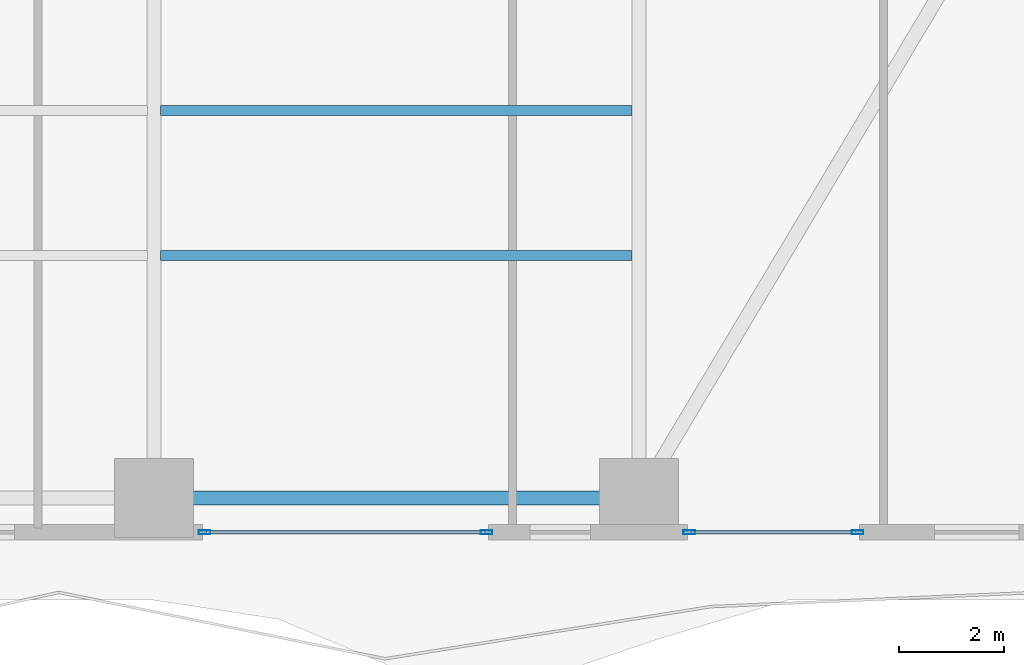
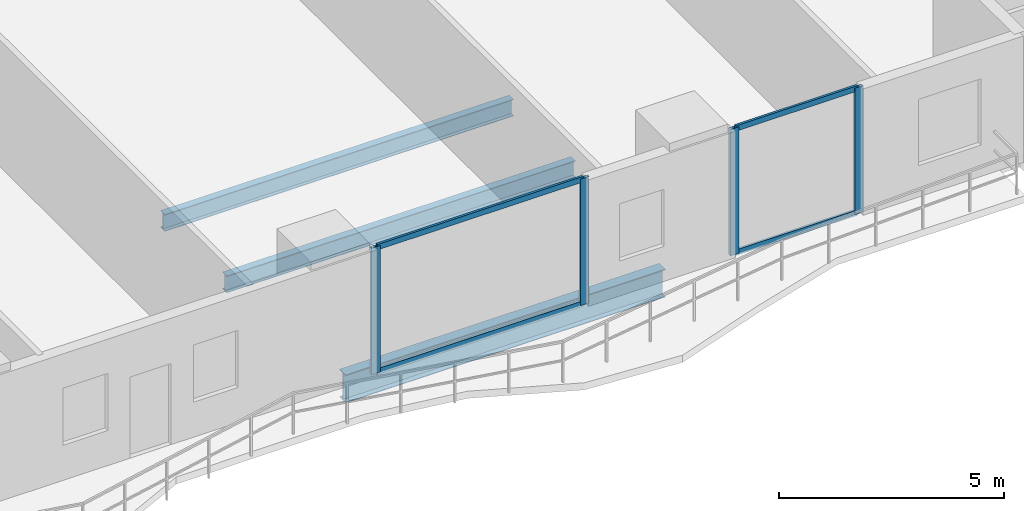
# One storey, part 8 of 29: 8 members, 3 beams, 2 elements without a shape of their own.
"""IFC4 building model written with IfcOpenShell, lengths in metres."""

from ifc_helpers import new_model, si_unit, direction, frame, origin, origin_2d, place, context, subcontext, project, spatial, hollow_rectangle, i_section, extrude, material, layer, layer_set, material_profile, profile_set, type_object, element, aggregate, save


model = new_model("IFC4")

# Units and contexts
model_context = context("Model", 3, precision=1e-05, world=origin(), true_north=direction((0.0, 1.0)))
body_context = subcontext(model_context, "Body", "Model", "MODEL_VIEW")
ifc_project = project(units=[si_unit("LENGTHUNIT", "METRE"), si_unit("AREAUNIT", "SQUARE_METRE"), si_unit("VOLUMEUNIT", "CUBIC_METRE"), si_unit("PLANEANGLEUNIT", "RADIAN"), si_unit("MASSUNIT", "GRAM", prefix="KILO")], contexts=[model_context])

# Site, building, storey
site_placement = place(None, origin())
site = spatial("IfcSite", under=ifc_project, at=site_placement, CompositionType="ELEMENT")
building_placement = place(site_placement, origin())
building = spatial("IfcBuilding", under=site, at=building_placement, Name="Zuhayl Quay Hotel", CompositionType="ELEMENT")
storey_placement = place(building_placement, frame((0.0, 0.0, 38.550048828125)))
storey = spatial("IfcBuildingStorey", under=building, at=storey_placement, Name="L08", CompositionType="ELEMENT", Elevation=38.550048828125)

# Beams
ifc_material_1 = material(Name="Steel ASTM A992 Grade 50", Category="steel")
ifc_material_profile_1 = material_profile(ifc_material_1, i_section(OverallWidth=0.26708984375, OverallDepth=0.761962890625, WebThickness=0.014404296875, FlangeThickness=0.021484375, at=origin_2d()), Name="W30X116")
ifc_profile_set_1 = profile_set([ifc_material_profile_1], Name="Steel ASTM A992 Grade 50")
beam_type_1 = type_object("IfcBeamType", Name="BM_B1_W30X116", PredefinedType="BEAM", material=ifc_profile_set_1)
beam_placement = place(storey_placement, frame((5.10009765625, -22.449951171875, -0.60107421875), z_axis=(1.0, 0.0, 0.0), x_axis=(0.0, 1.0, 0.0)))
element("IfcBeam", 1, at=beam_placement, inside=storey, type_object=beam_type_1, Name="L08 Floor Beam RG_L08_03", PredefinedType="BEAM", context=body_context, shape_type="SweptSolid", body=[
    extrude(i_section(OverallWidth=0.26708984375, OverallDepth=0.761962890625, WebThickness=0.014404296875, FlangeThickness=0.021484375, at=origin_2d()), origin(), (0.0, 0.0, 1.0), 8.199951171875),
])
ifc_material_profile_2 = material_profile(ifc_material_1, i_section(OverallWidth=0.18994140625, OverallDepth=0.45703125, WebThickness=0.009033203125, FlangeThickness=0.014404296875, at=origin_2d()), Name="W18X50")
ifc_profile_set_2 = profile_set([ifc_material_profile_2], Name="Steel ASTM A992 Grade 50")
beam_type_2 = type_object("IfcBeamType", Name="BM_J2_W18X50", PredefinedType="JOIST", material=ifc_profile_set_2)
for number, where, z_axis, x_axis, name in (
    (2, (4.7255859375, -17.85009765625, -0.448486328125), (1.0, 0.0, 0.0), (0.0, 1.0, 0.0), "L08 Floor Beam FJ_L08_3_3"),
    (3, (4.7255859375, -15.10009765625, -0.448486328125), (1.0, 0.0, 0.0), (0.0, 1.0, 0.0), "L08 Floor Beam FJ_L08_4_3"),
):
    element("IfcBeam", number, at=place(storey_placement, frame(where, z_axis=z_axis, x_axis=x_axis)), inside=storey, type_object=beam_type_2, Name=name, PredefinedType="JOIST", context=body_context, shape_type="SweptSolid", body=[
        extrude(i_section(OverallWidth=0.18994140625, OverallDepth=0.45703125, WebThickness=0.009033203125, FlangeThickness=0.014404296875, at=origin_2d()), origin(), (0.0, 0.0, 1.0), 8.948974609375),
    ])

# Curtain wall, members
ifc_material_2 = material(Name="Anodised Aluminium 6063-T6", Category="aluminium")
ifc_layer = layer(ifc_material_2, 0.18994140625, Name="Anodised Aluminium 6063-T6", Category="aluminium")
ifc_layer_set = layer_set([ifc_layer], Name="Anodised Aluminium 6063-T6")
curtain_wall_type = type_object("IfcCurtainWallType", Name="CW_SYS_Z1", PredefinedType="USERDEFINED", material=ifc_layer_set)
curtain_wall_1_placement = place(storey_placement, origin())
curtain_wall_1 = element("IfcCurtainWall", 4, at=curtain_wall_1_placement, inside=storey, type_object=curtain_wall_type, Name="L08 Curtain Wall ENV_L08_S_CW1", ObjectType="UNITISED CURTAIN WALL", PredefinedType="USERDEFINED")
ifc_material_3 = material(Name="Black-anodised aluminium 6063-T6", Category="aluminium")
ifc_material_profile_3 = material_profile(ifc_material_3, hollow_rectangle(XDim=0.074951171875, YDim=0.219970703125, WallThickness=0.00390625, at=origin_2d()), Name="ALU220X75")
ifc_profile_set_3 = profile_set([ifc_material_profile_3], Name="Black-anodised aluminium 6063-T6")
member_type_1 = type_object("IfcMemberType", Name="MB_CW_MUL_220", PredefinedType="MULLION", material=ifc_profile_set_3)
member_1_placement = place(storey_placement, frame((17.952392578125, -23.10009765625, 0.0), z_axis=(0.0, 0.0, 1.0), x_axis=(0.0, -1.0, 0.0)))
member_1 = element("IfcMember", 5, at=member_1_placement, type_object=member_type_1, Name="CW-Z1 mullion 1", PredefinedType="MULLION", context=body_context, shape_type="SweptSolid", body=[
    extrude(hollow_rectangle(XDim=0.074951171875, YDim=0.219970703125, WallThickness=0.00390625, at=origin_2d()), origin(), (0.0, 0.0, 1.0), 3.429931640625),
])
member_2_placement = place(storey_placement, frame((14.757568359375, -23.10009765625, 0.0), z_axis=(0.0, 0.0, 1.0), x_axis=(0.0, -1.0, 0.0)))
member_2 = element("IfcMember", 6, at=member_2_placement, type_object=member_type_1, Name="CW-Z1 mullion 2", PredefinedType="MULLION", context=body_context, shape_type="SweptSolid", body=[
    extrude(hollow_rectangle(XDim=0.074951171875, YDim=0.219970703125, WallThickness=0.00390625, at=origin_2d()), origin(), (0.0, 0.0, 1.0), 3.429931640625),
])

curtain_wall_2_placement = place(storey_placement, origin())
curtain_wall_2 = element("IfcCurtainWall", 7, at=curtain_wall_2_placement, inside=storey, type_object=curtain_wall_type, Name="L08 Curtain Wall ENV_L08_S_CW2", ObjectType="UNITISED CURTAIN WALL", PredefinedType="USERDEFINED")
member_3_placement = place(storey_placement, frame((10.91259765625, -23.10009765625, 0.0), z_axis=(0.0, 0.0, 1.0), x_axis=(0.0, -1.0, 0.0)))
member_3 = element("IfcMember", 8, at=member_3_placement, type_object=member_type_1, Name="CW-Z1 mullion 1", PredefinedType="MULLION", context=body_context, shape_type="SweptSolid", body=[
    extrude(hollow_rectangle(XDim=0.074951171875, YDim=0.219970703125, WallThickness=0.00390625, at=origin_2d()), origin(), (0.0, 0.0, 1.0), 3.429931640625),
])
member_4_placement = place(storey_placement, frame((5.5576171875, -23.10009765625, 0.0), z_axis=(0.0, 0.0, 1.0), x_axis=(0.0, -1.0, 0.0)))
member_4 = element("IfcMember", 9, at=member_4_placement, type_object=member_type_1, Name="CW-Z1 mullion 2", PredefinedType="MULLION", context=body_context, shape_type="SweptSolid", body=[
    extrude(hollow_rectangle(XDim=0.074951171875, YDim=0.219970703125, WallThickness=0.00390625, at=origin_2d()), origin(), (0.0, 0.0, 1.0), 3.429931640625),
])

# Member
ifc_material_profile_4 = material_profile(ifc_material_3, hollow_rectangle(XDim=0.06005859375, YDim=0.14990234375, WallThickness=0.00341796875, at=origin_2d()), Name="ALU150X60")
ifc_profile_set_4 = profile_set([ifc_material_profile_4], Name="Black-anodised aluminium 6063-T6")
member_type_2 = type_object("IfcMemberType", Name="MB_CW_TRN_150", PredefinedType="USERDEFINED", material=ifc_profile_set_4)
member_5_placement = place(storey_placement, frame((17.9150390625, -23.10009765625, 0.030029296875), z_axis=(-1.0, 0.0, 0.0), x_axis=(0.0, -1.0, 0.0)))
member_5 = element("IfcMember", 10, at=member_5_placement, type_object=member_type_2, Name="CW-Z1 transom 1.1", ObjectType="TRANSOM", PredefinedType="USERDEFINED", context=body_context, shape_type="SweptSolid", body=[
    extrude(hollow_rectangle(XDim=0.06005859375, YDim=0.14990234375, WallThickness=0.00341796875, at=origin_2d()), origin(), (0.0, 0.0, 1.0), 3.1201171875),
])

member_6_placement = place(storey_placement, frame((17.9150390625, -23.10009765625, 3.39990234375), z_axis=(-1.0, 0.0, 0.0), x_axis=(0.0, -1.0, 0.0)))
member_6 = element("IfcMember", 11, at=member_6_placement, type_object=member_type_2, Name="CW-Z1 transom 1.2", ObjectType="TRANSOM", PredefinedType="USERDEFINED", context=body_context, shape_type="SweptSolid", body=[
    extrude(hollow_rectangle(XDim=0.06005859375, YDim=0.14990234375, WallThickness=0.00341796875, at=origin_2d()), origin(), (0.0, 0.0, 1.0), 3.1201171875),
])

aggregate(curtain_wall_1, [member_1, member_2, member_5, member_6])

member_7_placement = place(storey_placement, frame((10.875, -23.10009765625, 0.030029296875), z_axis=(-1.0, 0.0, 0.0), x_axis=(0.0, -1.0, 0.0)))
member_7 = element("IfcMember", 12, at=member_7_placement, type_object=member_type_2, Name="CW-Z1 transom 1.1", ObjectType="TRANSOM", PredefinedType="USERDEFINED", context=body_context, shape_type="SweptSolid", body=[
    extrude(hollow_rectangle(XDim=0.06005859375, YDim=0.14990234375, WallThickness=0.00341796875, at=origin_2d()), origin(), (0.0, 0.0, 1.0), 5.280029296875),
])

member_8_placement = place(storey_placement, frame((10.875, -23.10009765625, 3.39990234375), z_axis=(-1.0, 0.0, 0.0), x_axis=(0.0, -1.0, 0.0)))
member_8 = element("IfcMember", 13, at=member_8_placement, type_object=member_type_2, Name="CW-Z1 transom 1.2", ObjectType="TRANSOM", PredefinedType="USERDEFINED", context=body_context, shape_type="SweptSolid", body=[
    extrude(hollow_rectangle(XDim=0.06005859375, YDim=0.14990234375, WallThickness=0.00341796875, at=origin_2d()), origin(), (0.0, 0.0, 1.0), 5.280029296875),
])

aggregate(curtain_wall_2, [member_3, member_4, member_7, member_8])

save(model, "model.ifc")
